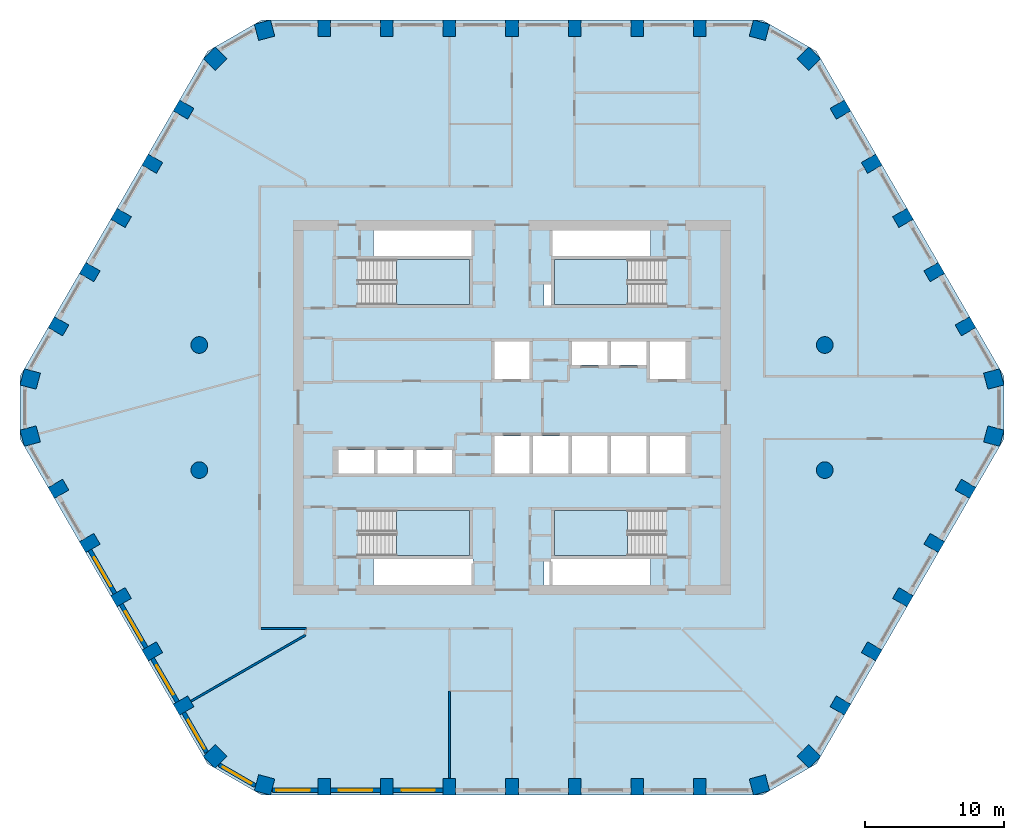
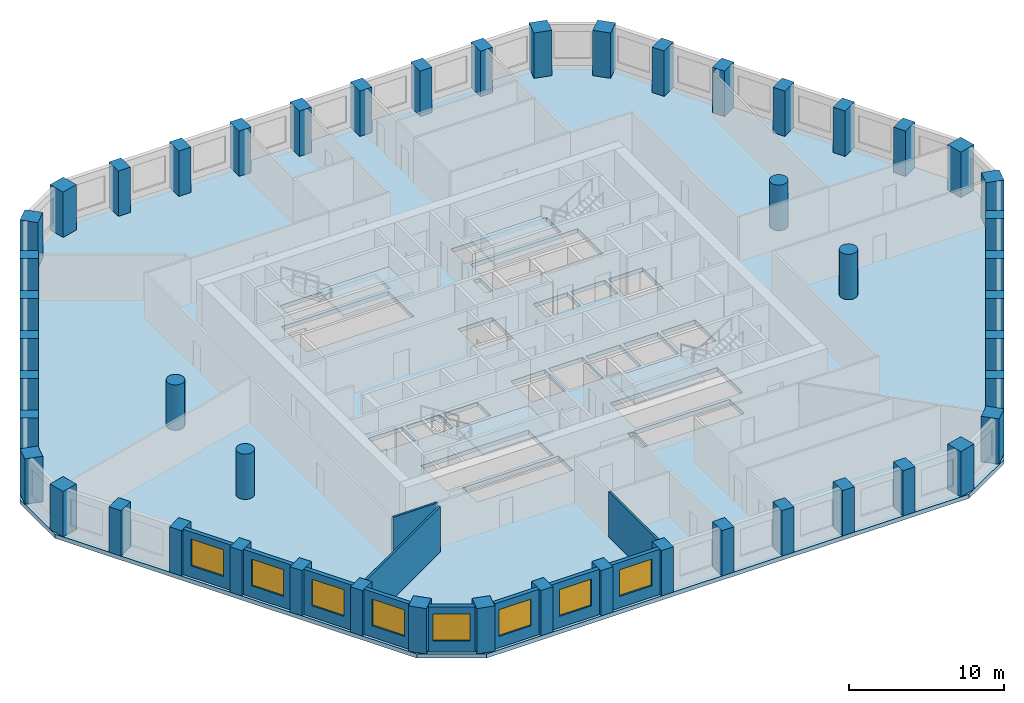
# One storey, part 1 of 9: 50 columns, 11 walls, 8 windows, 5 slabs, 8 openings, 4 elements without a shape of their own.
"""IFC4 building model written with IfcOpenShell, lengths in metres."""

import ifcopenshell
import ifcopenshell.guid

model = None  # the IFC model being written
_history = None  # IfcOwnerHistory: only IFC2X3 demands one
_inside = {}  # id of a spatial element -> (the spatial element, [elements in it])
_under = {}  # id of a project, library or spatial element -> (it, [spatial elements below it])
_declared = {}  # id of a project -> (the project, [libraries it declares])
_typed = {}  # id of a type object -> (the type object, [elements of that type])
_made_of = {}  # id of a material, layer set ... -> (it, [elements and type objects made of it])


def new_model(schema):
    """Start an empty IFC model of exactly this schema.

    Asked for "IFC4X3", IfcOpenShell would pick the latest addendum, in which some entities
    have other attributes; the version numbers below select the first issue.
    IFC2X3 requires an IfcOwnerHistory on every rooted entity: one is made here for all.
    """
    global model, _history
    if schema == "IFC4X3":
        model = ifcopenshell.file(schema_version=(4, 3, 0, 0))
    else:
        model = ifcopenshell.file(schema=schema)
    _inside.clear()
    _under.clear()
    _declared.clear()
    _typed.clear()
    _made_of.clear()
    _history = None
    if model.schema == "IFC2X3":
        org = make("IfcOrganization", Name="unknown")
        user = make(
            "IfcPersonAndOrganization",
            ThePerson=make("IfcPerson", FamilyName="unknown"),
            TheOrganization=org,
        )
        app = make(
            "IfcApplication",
            ApplicationDeveloper=org,
            Version="unknown",
            ApplicationFullName="unknown",
            ApplicationIdentifier="unknown",
        )
        _history = make(
            "IfcOwnerHistory",
            OwningUser=user,
            OwningApplication=app,
            ChangeAction="ADDED",
            CreationDate=0,
        )
    return model


def make(cls, **values):
    """One entity of the class cls with the attributes given. An attribute that is None is left unset."""
    return model.create_entity(
        cls, **{name: value for name, value in values.items() if value is not None}
    )


def rooted(cls, **values):
    """An entity with a GlobalId (a new one), such as an element, a storey or a relation."""
    return make(cls, GlobalId=ifcopenshell.guid.new(), OwnerHistory=_history, **values)


def si_unit(unit_type, name, prefix=None):
    """IfcSIUnit, for example si_unit("LENGTHUNIT", "METRE", prefix="MILLI")."""
    return make("IfcSIUnit", UnitType=unit_type, Prefix=prefix, Name=name)


def assignment(units):
    """IfcUnitAssignment: the units of a project."""
    return None if units is None else make("IfcUnitAssignment", Units=units)


def point(xyz):
    """IfcCartesianPoint."""
    return None if xyz is None else make("IfcCartesianPoint", Coordinates=xyz)


def direction(xyz):
    """IfcDirection."""
    return None if xyz is None else make("IfcDirection", DirectionRatios=xyz)


def frame(location, z_axis=None, x_axis=None):
    """IfcAxis2Placement3D, a coordinate frame: its origin and axes. An axis left out is left unset."""
    return make(
        "IfcAxis2Placement3D",
        Location=point(location),
        Axis=direction(z_axis),
        RefDirection=direction(x_axis),
    )


def frame_2d(location, x_axis=None):
    """IfcAxis2Placement2D, a coordinate frame in the plane: its origin and x axis."""
    return make(
        "IfcAxis2Placement2D", Location=point(location), RefDirection=direction(x_axis)
    )


def origin():
    """The frame at (0, 0, 0) with its axes left unset."""
    return frame((0.0, 0.0, 0.0))


def origin_2d():
    """The frame at (0, 0) in the plane with its x axis left unset."""
    return frame_2d((0.0, 0.0))


def place(relative_to, where):
    """IfcLocalPlacement: puts the frame where relative to a parent placement (None: the world)."""
    return make(
        "IfcLocalPlacement", PlacementRelTo=relative_to, RelativePlacement=where
    )


def context(
    kind, dimensions, precision=None, world=None, true_north=None, identifier=None
):
    """IfcGeometricRepresentationContext, for example the 3D "Model" context."""
    return make(
        "IfcGeometricRepresentationContext",
        ContextIdentifier=identifier,
        ContextType=kind,
        CoordinateSpaceDimension=dimensions,
        Precision=precision,
        WorldCoordinateSystem=world,
        TrueNorth=true_north,
    )


def subcontext(parent, identifier, kind, view, scale=None):
    """IfcGeometricRepresentationSubContext, for example "Body" below "Model"."""
    return make(
        "IfcGeometricRepresentationSubContext",
        ContextIdentifier=identifier,
        ContextType=kind,
        ParentContext=parent,
        TargetScale=scale,
        TargetView=view,
    )


def project(units=None, contexts=None):
    """IfcProject with its units and contexts."""
    return rooted(
        "IfcProject",
        Name="project",
        RepresentationContexts=contexts,
        UnitsInContext=assignment(units),
    )


def spatial(cls, under=None, at=None, **own):
    """A site, building, storey or space (cls), placed at a placement, below another one or the project."""
    s = rooted(cls, ObjectPlacement=at, **own)
    if under is not None:
        _under.setdefault(under.id(), (under, []))[1].append(s)
    return s


def polyline(points):
    """IfcPolyline through the points."""
    return make("IfcPolyline", Points=[point(p) for p in points])


def profile(cls, at=None, kind="AREA", **sizes):
    """A parametric profile (cls). Its sizes go by their IFC names, for example OverallWidth=200.0."""
    return make(cls, ProfileType=kind, Position=at, **sizes)


def rectangle(**sizes):
    """IfcRectangleProfileDef."""
    return profile("IfcRectangleProfileDef", **sizes)


def circle(**sizes):
    """IfcCircleProfileDef."""
    return profile("IfcCircleProfileDef", **sizes)


def outline(outer, holes=None, kind="AREA"):
    """IfcArbitraryClosedProfileDef: a profile drawn as a closed curve; with holes, ...WithVoids."""
    if holes is None:
        return make("IfcArbitraryClosedProfileDef", ProfileType=kind, OuterCurve=outer)
    return make(
        "IfcArbitraryProfileDefWithVoids",
        ProfileType=kind,
        OuterCurve=outer,
        InnerCurves=holes,
    )


def extrude(swept, where, along, depth):
    """IfcExtrudedAreaSolid: the profile swept, set in the frame where, extruded along a direction by depth."""
    return make(
        "IfcExtrudedAreaSolid",
        SweptArea=swept,
        Position=where,
        ExtrudedDirection=direction(along),
        Depth=depth,
    )


def shape(context_of_items, identifier, shape_type, items):
    """IfcShapeRepresentation: the items that make up one representation, for example the "Body"."""
    return make(
        "IfcShapeRepresentation",
        ContextOfItems=context_of_items,
        RepresentationIdentifier=identifier,
        RepresentationType=shape_type,
        Items=items,
    )


def material(Name=None, Category=None):
    """IfcMaterial."""
    return make("IfcMaterial", Name=Name, Category=Category)


def layer(
    of_material, thickness, ventilated=None, Name=None, Category=None, Priority=None
):
    """IfcMaterialLayer: one layer of a wall or slab, of a material (None: an air gap)."""
    return make(
        "IfcMaterialLayer",
        Material=of_material,
        LayerThickness=thickness,
        IsVentilated=ventilated,
        Name=Name,
        Category=Category,
        Priority=Priority,
    )


def layer_set(layers, Name=None):
    """IfcMaterialLayerSet."""
    return make("IfcMaterialLayerSet", MaterialLayers=layers, LayerSetName=Name)


def material_profile(
    of_material, cross_section, Name=None, Category=None, Priority=None
):
    """IfcMaterialProfile: a cross section and its material."""
    return make(
        "IfcMaterialProfile",
        Name=Name,
        Material=of_material,
        Profile=cross_section,
        Priority=Priority,
        Category=Category,
    )


def profile_set(profiles, Name=None, composite=None):
    """IfcMaterialProfileSet."""
    return make(
        "IfcMaterialProfileSet",
        Name=Name,
        MaterialProfiles=profiles,
        CompositeProfile=composite,
    )


def made_of(thing, what):
    """Note that an element or type object is made of a material, layer set ...; save() writes the relation."""
    if what is not None:
        _made_of.setdefault(what.id(), (what, []))[1].append(thing)
    return thing


def type_object(cls, material=None, **own):
    """A type object (cls), such as IfcWallType, which elements share."""
    return made_of(rooted(cls, **own), material)


def element(
    cls,
    number,
    at=None,
    inside=None,
    cuts=None,
    type_object=None,
    material=None,
    context=None,
    identifier="Body",
    shape_type=None,
    held_by="IfcProductDefinitionShape",
    body=None,
    shapes=None,
    **own,
):
    """One element of the class cls, such as IfcWall. Its Tag is "e" and its number.

    at: its placement. inside: the storey or other place that contains it. cuts: it is an
    opening in that element (IfcRelVoidsElement). A single representation is given by context,
    identifier, shape_type and body (its items); several are given by shapes. held_by: the class
    of the entity that holds the representations. save() writes the other relations.
    """
    e = rooted(cls, Tag="e%d" % number, ObjectPlacement=at, **own)
    if body is not None:
        shapes = [shape(context, identifier, shape_type, body)]
    if shapes is not None:
        e.Representation = make(held_by, Representations=shapes)
    if inside is not None:
        _inside.setdefault(inside.id(), (inside, []))[1].append(e)
    if cuts is not None:
        rooted(
            "IfcRelVoidsElement", RelatingBuildingElement=cuts, RelatedOpeningElement=e
        )
    if type_object is not None:
        _typed.setdefault(type_object.id(), (type_object, []))[1].append(e)
    return made_of(e, material)


def fill(opening, filler):
    """IfcRelFillsElement: the door or window that sits in an opening."""
    return rooted(
        "IfcRelFillsElement",
        RelatingOpeningElement=opening,
        RelatedBuildingElement=filler,
    )


def aggregate(whole, parts):
    """IfcRelAggregates: a whole, such as a stair, and the parts it consists of."""
    return rooted("IfcRelAggregates", RelatingObject=whole, RelatedObjects=parts)


def save(model, path):
    """Write the relations noted so far, then the file.

    IfcRelAggregates (storeys below a building ...), IfcRelContainedInSpatialStructure (elements
    in a storey), IfcRelDefinesByType, IfcRelAssociatesMaterial and IfcRelDeclares: one each for
    every whole, place, type object, material and project.
    """
    for whole, parts in _under.values():
        aggregate(whole, parts)
    for where, things in _inside.values():
        rooted(
            "IfcRelContainedInSpatialStructure",
            RelatedElements=things,
            RelatingStructure=where,
        )
    for kind, things in _typed.values():
        rooted("IfcRelDefinesByType", RelatedObjects=things, RelatingType=kind)
    for what, things in _made_of.values():
        rooted("IfcRelAssociatesMaterial", RelatedObjects=things, RelatingMaterial=what)
    for by, libraries in _declared.values():
        rooted("IfcRelDeclares", RelatingContext=by, RelatedDefinitions=libraries)
    model.write(path)


model = new_model("IFC4")

# Units and contexts
model_context = context("Model", 3, precision=1e-05, world=origin(), true_north=direction((0.0, 1.0)))
body_context = subcontext(model_context, "Body", "Model", "MODEL_VIEW")
ifc_project = project(units=[si_unit("LENGTHUNIT", "METRE"), si_unit("AREAUNIT", "SQUARE_METRE"), si_unit("VOLUMEUNIT", "CUBIC_METRE"), si_unit("PLANEANGLEUNIT", "RADIAN"), si_unit("MASSUNIT", "GRAM", prefix="KILO")], contexts=[model_context])

# Site, building, storey
site_placement = place(None, origin())
site = spatial("IfcSite", under=ifc_project, at=site_placement, CompositionType="ELEMENT")
building_placement = place(site_placement, origin())
building = spatial("IfcBuilding", under=site, at=building_placement, Name="Dhurran Vertical Campus", CompositionType="ELEMENT")
storey_placement = place(building_placement, frame((0.0, 0.0, 171.60009765625)))
storey = spatial("IfcBuildingStorey", under=building, at=storey_placement, Name="L42", CompositionType="ELEMENT", Elevation=171.60009765625)

# Columns
ifc_material_1 = material(Name="Concrete C60/75", Category="concrete")
ifc_material_profile_1 = material_profile(ifc_material_1, rectangle(XDim=1.199951171875, YDim=1.199951171875, at=origin_2d()), Name="RC 1200x1200")
ifc_profile_set_1 = profile_set([ifc_material_profile_1], Name="Concrete C60/75")
column_type_1 = type_object("IfcColumnType", Name="FR COL RC 1200x1200 C60/75", PredefinedType="COLUMN", material=ifc_profile_set_1)
for number, where, z_axis, x_axis, name in (
    (1, (-17.802978515625, -27.147705078125, 0.0), (0.0, 0.0, 1.0), (0.965925826289, -0.258819045103, 0.0), "Perimeter pier PP3.00"),
    (2, (17.802978515625, -27.147705078125, 0.0), (0.0, 0.0, 1.0), (0.965925826289, 0.258819045103, 0.0), "Perimeter pier PP3.08"),
    (3, (21.359130859375, -25.0947265625, 0.0), (0.0, 0.0, 1.0), (0.707106781187, 0.707106781187, 0.0), "Perimeter pier PP3.09"),
    (4, (34.662353515625, -2.052978515625, 0.0), (0.0, 0.0, 1.0), (0.258819045103, 0.965925826289, 0.0), "Perimeter pier PP3.15"),
    (5, (34.662353515625, 2.052978515625, 0.0), (0.0, 0.0, 1.0), (-0.258819045103, 0.965925826289, 0.0), "Perimeter pier PP3.16"),
    (6, (21.359130859375, 25.0947265625, 0.0), (0.0, 0.0, 1.0), (-0.707106781187, 0.707106781187, 0.0), "Perimeter pier PP3.22"),
    (7, (17.802978515625, 27.147705078125, 0.0), (0.0, 0.0, 1.0), (-0.965925826289, 0.258819045103, 0.0), "Perimeter pier PP3.23"),
    (8, (-17.802978515625, 27.147705078125, 0.0), (0.0, 0.0, 1.0), (-0.965925826289, -0.258819045103, 0.0), "Perimeter pier PP3.31"),
    (9, (-21.359130859375, 25.0947265625, 0.0), (0.0, 0.0, 1.0), (-0.707106781187, -0.707106781187, 0.0), "Perimeter pier PP3.32"),
    (10, (-34.662353515625, 2.052978515625, 0.0), (0.0, 0.0, 1.0), (-0.258819045103, -0.965925826289, 0.0), "Perimeter pier PP3.38"),
    (11, (-34.662353515625, -2.052978515625, 0.0), (0.0, 0.0, 1.0), (0.258819045103, -0.965925826289, 0.0), "Perimeter pier PP3.39"),
    (12, (-21.359130859375, -25.0947265625, 0.0), (0.0, 0.0, 1.0), (0.707106781187, -0.707106781187, 0.0), "Perimeter pier PP3.45"),
):
    element("IfcColumn", number, at=place(storey_placement, frame(where, z_axis=z_axis, x_axis=x_axis)), inside=storey, type_object=column_type_1, Name=name, PredefinedType="COLUMN", context=body_context, shape_type="SweptSolid", body=[
        extrude(rectangle(XDim=1.199951171875, YDim=1.199951171875, at=origin_2d()), origin(), (0.0, 0.0, 1.0), 3.574951171875),
    ])
ifc_material_2 = material(Name="Concrete C60/75", Category="concrete")
ifc_material_profile_2 = material_profile(ifc_material_2, rectangle(XDim=0.89990234375, YDim=1.199951171875, at=origin_2d()), Name="RC 900x1200")
ifc_profile_set_2 = profile_set([ifc_material_profile_2], Name="Concrete C60/75")
column_type_2 = type_object("IfcColumnType", Name="FR COL RC 900x1200 C60/75", PredefinedType="COLUMN", material=ifc_profile_set_2)
for number, where, z_axis, x_axis, name in (
    (13, (-13.5, -27.28271484375, 0.0), (0.0, 0.0, 1.0), (1.0, 0.0, 0.0), "Perimeter pier PP3.01"),
    (14, (-9.0, -27.28271484375, 0.0), (0.0, 0.0, 1.0), (1.0, 0.0, 0.0), "Perimeter pier PP3.02"),
    (15, (-4.5, -27.28271484375, 0.0), (0.0, 0.0, 1.0), (1.0, 0.0, 0.0), "Perimeter pier PP3.03"),
    (16, (0.0, -27.28271484375, 0.0), (0.0, 0.0, 1.0), (1.0, 0.0, 0.0), "Perimeter pier PP3.04"),
    (17, (4.5, -27.28271484375, 0.0), (0.0, 0.0, 1.0), (1.0, 0.0, 0.0), "Perimeter pier PP3.05"),
    (18, (9.0, -27.28271484375, 0.0), (0.0, 0.0, 1.0), (1.0, 0.0, 0.0), "Perimeter pier PP3.06"),
    (19, (13.5, -27.28271484375, 0.0), (0.0, 0.0, 1.0), (1.0, 0.0, 0.0), "Perimeter pier PP3.07"),
    (20, (23.62744140625, -21.435546875, 0.0), (0.0, 0.0, 1.0), (0.5, 0.866025403784, 0.0), "Perimeter pier PP3.10"),
    (21, (25.87744140625, -17.53857421875, 0.0), (0.0, 0.0, 1.0), (0.5, 0.866025403784, 0.0), "Perimeter pier PP3.11"),
    (22, (28.12744140625, -13.641357421875, 0.0), (0.0, 0.0, 1.0), (0.5, 0.866025403784, 0.0), "Perimeter pier PP3.12"),
    (23, (30.37744140625, -9.744140625, 0.0), (0.0, 0.0, 1.0), (0.5, 0.866025403784, 0.0), "Perimeter pier PP3.13"),
    (24, (32.62744140625, -5.84716796875, 0.0), (0.0, 0.0, 1.0), (0.5, 0.866025403784, 0.0), "Perimeter pier PP3.14"),
    (25, (32.62744140625, 5.84716796875, 0.0), (0.0, 0.0, 1.0), (-0.5, 0.866025403784, 0.0), "Perimeter pier PP3.17"),
    (26, (30.37744140625, 9.744140625, 0.0), (0.0, 0.0, 1.0), (-0.5, 0.866025403784, 0.0), "Perimeter pier PP3.18"),
    (27, (28.12744140625, 13.641357421875, 0.0), (0.0, 0.0, 1.0), (-0.5, 0.866025403784, 0.0), "Perimeter pier PP3.19"),
    (28, (25.87744140625, 17.53857421875, 0.0), (0.0, 0.0, 1.0), (-0.5, 0.866025403784, 0.0), "Perimeter pier PP3.20"),
    (29, (23.62744140625, 21.435546875, 0.0), (0.0, 0.0, 1.0), (-0.5, 0.866025403784, 0.0), "Perimeter pier PP3.21"),
    (30, (13.5, 27.28271484375, 0.0), (0.0, 0.0, 1.0), (-1.0, 0.0, 0.0), "Perimeter pier PP3.24"),
    (31, (9.0, 27.28271484375, 0.0), (0.0, 0.0, 1.0), (-1.0, 0.0, 0.0), "Perimeter pier PP3.25"),
    (32, (4.5, 27.28271484375, 0.0), (0.0, 0.0, 1.0), (-1.0, 0.0, 0.0), "Perimeter pier PP3.26"),
    (33, (0.0, 27.28271484375, 0.0), (0.0, 0.0, 1.0), (-1.0, 0.0, 0.0), "Perimeter pier PP3.27"),
    (34, (-4.5, 27.28271484375, 0.0), (0.0, 0.0, 1.0), (-1.0, 0.0, 0.0), "Perimeter pier PP3.28"),
    (35, (-9.0, 27.28271484375, 0.0), (0.0, 0.0, 1.0), (-1.0, 0.0, 0.0), "Perimeter pier PP3.29"),
    (36, (-13.5, 27.28271484375, 0.0), (0.0, 0.0, 1.0), (-1.0, 0.0, 0.0), "Perimeter pier PP3.30"),
    (37, (-23.62744140625, 21.435546875, 0.0), (0.0, 0.0, 1.0), (-0.5, -0.866025403784, 0.0), "Perimeter pier PP3.33"),
    (38, (-25.87744140625, 17.53857421875, 0.0), (0.0, 0.0, 1.0), (-0.5, -0.866025403784, 0.0), "Perimeter pier PP3.34"),
    (39, (-28.12744140625, 13.641357421875, 0.0), (0.0, 0.0, 1.0), (-0.5, -0.866025403784, 0.0), "Perimeter pier PP3.35"),
    (40, (-30.37744140625, 9.744140625, 0.0), (0.0, 0.0, 1.0), (-0.5, -0.866025403784, 0.0), "Perimeter pier PP3.36"),
    (41, (-32.62744140625, 5.84716796875, 0.0), (0.0, 0.0, 1.0), (-0.5, -0.866025403784, 0.0), "Perimeter pier PP3.37"),
    (42, (-32.62744140625, -5.84716796875, 0.0), (0.0, 0.0, 1.0), (0.5, -0.866025403784, 0.0), "Perimeter pier PP3.40"),
    (43, (-30.37744140625, -9.744140625, 0.0), (0.0, 0.0, 1.0), (0.5, -0.866025403784, 0.0), "Perimeter pier PP3.41"),
    (44, (-28.12744140625, -13.641357421875, 0.0), (0.0, 0.0, 1.0), (0.5, -0.866025403784, 0.0), "Perimeter pier PP3.42"),
    (45, (-25.87744140625, -17.53857421875, 0.0), (0.0, 0.0, 1.0), (0.5, -0.866025403784, 0.0), "Perimeter pier PP3.43"),
    (46, (-23.62744140625, -21.435546875, 0.0), (0.0, 0.0, 1.0), (0.5, -0.866025403784, 0.0), "Perimeter pier PP3.44"),
):
    element("IfcColumn", number, at=place(storey_placement, frame(where, z_axis=z_axis, x_axis=x_axis)), inside=storey, type_object=column_type_2, Name=name, PredefinedType="COLUMN", context=body_context, shape_type="SweptSolid", body=[
        extrude(rectangle(XDim=0.89990234375, YDim=1.199951171875, at=origin_2d()), origin(), (0.0, 0.0, 1.0), 3.574951171875),
    ])
ifc_material_3 = material(Name="Concrete C60/75", Category="concrete")
ifc_material_profile_3 = material_profile(ifc_material_3, circle(Radius=0.60009765625, at=origin_2d()), Name="RCC D1200")
ifc_profile_set_3 = profile_set([ifc_material_profile_3], Name="Concrete C60/75")
column_type_3 = type_object("IfcColumnType", Name="FR COL RCC D1200 C60/75", PredefinedType="COLUMN", material=ifc_profile_set_3)
for number, where, z_axis, x_axis, name in (
    (47, (-22.5, -4.5, 0.0), (0.0, 0.0, 1.0), (1.0, 0.0, 0.0), "Inner column IC3-D5"),
    (48, (-22.5, 4.5, 0.0), (0.0, 0.0, 1.0), (1.0, 0.0, 0.0), "Inner column IC3-D6"),
    (49, (22.5, -4.5, 0.0), (0.0, 0.0, 1.0), (1.0, 0.0, 0.0), "Inner column IC3-J5"),
    (50, (22.5, 4.5, 0.0), (0.0, 0.0, 1.0), (1.0, 0.0, 0.0), "Inner column IC3-J6"),
):
    element("IfcColumn", number, at=place(storey_placement, frame(where, z_axis=z_axis, x_axis=x_axis)), inside=storey, type_object=column_type_3, Name=name, PredefinedType="COLUMN", context=body_context, shape_type="SweptSolid", body=[
        extrude(circle(Radius=0.60009765625, at=origin_2d()), origin(), (0.0, 0.0, 1.0), 3.574951171875),
    ])

# Slab
ifc_material_4 = material(Name="Concrete C40/50", Category="concrete")
ifc_layer_1 = layer(ifc_material_4, 0.324951171875)
ifc_layer_set_1 = layer_set([ifc_layer_1], Name="Concrete C40/50")
slab_type_1 = type_object("IfcSlabType", Name="FR POST-TENSIONED FLAT SLAB 325", PredefinedType="FLOOR", material=ifc_layer_set_1)
slab_1_placement = place(storey_placement, frame((0.0, 0.0, -0.3251953125)))
element("IfcSlab", 51, at=slab_1_placement, inside=storey, type_object=slab_type_1, Name="Floor slab L42", PredefinedType="FLOOR", context=body_context, shape_type="SweptSolid", body=[
    extrude(outline(polyline([(-18.0, -27.8828125), (18.0, -27.8828125), (21.897216796875, -25.6328125), (35.397216796875, -2.25), (35.397216796875, 2.25), (21.897216796875, 25.6328125), (18.0, 27.8828125), (-18.0, 27.8828125), (-21.897216796875, 25.6328125), (-35.397216796875, 2.25), (-35.397216796875, -2.25), (-21.897216796875, -25.6328125), (-18.0, -27.8828125)]), holes=[polyline([(-1.27490234375, 2.050048828125), (1.27490234375, 2.050048828125), (1.27490234375, 4.75), (-1.27490234375, 4.75), (-1.27490234375, 2.050048828125)]), polyline([(9.925048828125, 2.050048828125), (12.47509765625, 2.050048828125), (12.47509765625, 4.75), (9.925048828125, 4.75), (9.925048828125, 2.050048828125)]), polyline([(-1.27490234375, -4.75), (1.27490234375, -4.75), (1.27490234375, -2.050048828125), (-1.27490234375, -2.050048828125), (-1.27490234375, -4.75)]), polyline([(1.52490234375, -4.75), (4.074951171875, -4.75), (4.074951171875, -2.050048828125), (1.52490234375, -2.050048828125), (1.52490234375, -4.75)]), polyline([(4.324951171875, -4.75), (6.875, -4.75), (6.875, -2.050048828125), (4.324951171875, -2.050048828125), (4.324951171875, -4.75)]), polyline([(7.125, -4.75), (9.675048828125, -4.75), (9.675048828125, -2.050048828125), (7.125, -2.050048828125), (7.125, -4.75)]), polyline([(9.925048828125, -4.75), (12.47509765625, -4.75), (12.47509765625, -2.050048828125), (9.925048828125, -2.050048828125), (9.925048828125, -4.75)]), polyline([(4.324951171875, 3.050048828125), (6.875, 3.050048828125), (6.875, 4.75), (4.324951171875, 4.75), (4.324951171875, 3.050048828125)]), polyline([(7.125, 3.050048828125), (9.675048828125, 3.050048828125), (9.675048828125, 4.75), (7.125, 4.75), (7.125, 3.050048828125)]), polyline([(-12.47509765625, -4.75), (-9.925048828125, -4.75), (-9.925048828125, -3.050048828125), (-12.47509765625, -3.050048828125), (-12.47509765625, -4.75)]), polyline([(-9.675048828125, -4.75), (-7.125, -4.75), (-7.125, -3.050048828125), (-9.675048828125, -3.050048828125), (-9.675048828125, -4.75)]), polyline([(-6.875, -4.75), (-4.324951171875, -4.75), (-4.324951171875, -3.050048828125), (-6.875, -3.050048828125), (-6.875, -4.75)]), polyline([(-11.050048828125, 7.39990234375), (-3.050048828125, 7.39990234375), (-3.050048828125, 10.64990234375), (-11.050048828125, 10.64990234375), (-11.050048828125, 7.39990234375)]), polyline([(3.050048828125, 7.39990234375), (11.050048828125, 7.39990234375), (11.050048828125, 10.64990234375), (3.050048828125, 10.64990234375), (3.050048828125, 7.39990234375)]), polyline([(-11.050048828125, -10.64990234375), (-3.050048828125, -10.64990234375), (-3.050048828125, -7.39990234375), (-11.050048828125, -7.39990234375), (-11.050048828125, -10.64990234375)]), polyline([(3.050048828125, -10.64990234375), (11.050048828125, -10.64990234375), (11.050048828125, -7.39990234375), (3.050048828125, -7.39990234375), (3.050048828125, -10.64990234375)]), polyline([(-9.949951171875, 10.89990234375), (-9.949951171875, 12.75), (-2.800048828125, 12.75), (-2.800048828125, 10.89990234375), (-9.949951171875, 10.89990234375)]), polyline([(9.949951171875, 12.75), (9.949951171875, 10.89990234375), (2.800048828125, 10.89990234375), (2.800048828125, 12.75), (9.949951171875, 12.75)]), polyline([(-9.949951171875, -12.75), (-9.949951171875, -10.89990234375), (-2.800048828125, -10.89990234375), (-2.800048828125, -12.75), (-9.949951171875, -12.75)]), polyline([(9.949951171875, -10.89990234375), (9.949951171875, -12.75), (2.800048828125, -12.75), (2.800048828125, -10.89990234375), (9.949951171875, -10.89990234375)]), polyline([(2.300048828125, 7.35009765625), (2.300048828125, 8.969970703125), (2.800048828125, 8.969970703125), (2.800048828125, 7.35009765625), (2.300048828125, 7.35009765625)]), polyline([(2.300048828125, -12.75), (2.300048828125, -10.968017578125), (2.75, -10.968017578125), (2.75, -12.75), (2.300048828125, -12.75)])]), origin(), (0.0, 0.0, 1.0), 0.3251953125),
])

# Stair, slab
ifc_material_5 = material(Name="Concrete C40/50", Category="concrete")
stair_type = type_object("IfcStairType", Name="co-ST-CORE", PredefinedType="HALF_TURN_STAIR", material=ifc_material_5)
stair_1_placement = place(storey_placement, origin())
stair_1 = element("IfcStair", 52, at=stair_1_placement, inside=storey, type_object=stair_type, Name="L42 Protected exit stair ST1", PredefinedType="HALF_TURN_STAIR")
ifc_material_6 = material(Name="Concrete C40/50", Category="concrete")
ifc_layer_2 = layer(ifc_material_6, 0.199951171875)
ifc_layer_set_2 = layer_set([ifc_layer_2], Name="Concrete C40/50")
slab_type_2 = type_object("IfcSlabType", Name="co-SL-LANDING", PredefinedType="LANDING", material=ifc_layer_set_2)
slab_2_placement = place(storey_placement, frame((0.0, 0.0, 1.75)))
slab_2 = element("IfcSlab", 53, at=slab_2_placement, type_object=slab_type_2, Name="ST1 landing 1", PredefinedType="LANDING", context=body_context, shape_type="SweptSolid", body=[
    extrude(outline(polyline([(-8.300048828125, 7.39990234375), (-3.050048828125, 7.39990234375), (-3.050048828125, 10.64990234375), (-8.300048828125, 10.64990234375), (-8.300048828125, 7.39990234375)])), origin(), (0.0, 0.0, 1.0), 0.199951171875),
])
aggregate(stair_1, [slab_2])

stair_2_placement = place(storey_placement, origin())
stair_2 = element("IfcStair", 54, at=stair_2_placement, inside=storey, type_object=stair_type, Name="L42 Protected exit stair ST2", PredefinedType="HALF_TURN_STAIR")
slab_3_placement = place(storey_placement, frame((0.0, 0.0, 1.75)))
slab_3 = element("IfcSlab", 55, at=slab_3_placement, type_object=slab_type_2, Name="ST2 landing 1", PredefinedType="LANDING", context=body_context, shape_type="SweptSolid", body=[
    extrude(outline(polyline([(8.300048828125, 10.64990234375), (3.050048828125, 10.64990234375), (3.050048828125, 7.39990234375), (8.300048828125, 7.39990234375), (8.300048828125, 10.64990234375)])), origin(), (0.0, 0.0, 1.0), 0.199951171875),
])
aggregate(stair_2, [slab_3])

stair_3_placement = place(storey_placement, origin())
stair_3 = element("IfcStair", 56, at=stair_3_placement, inside=storey, type_object=stair_type, Name="L42 Protected exit stair ST3", PredefinedType="HALF_TURN_STAIR")
slab_4_placement = place(storey_placement, frame((0.0, 0.0, 1.75)))
slab_4 = element("IfcSlab", 57, at=slab_4_placement, type_object=slab_type_2, Name="ST3 landing 1", PredefinedType="LANDING", context=body_context, shape_type="SweptSolid", body=[
    extrude(outline(polyline([(-8.300048828125, -10.64990234375), (-3.050048828125, -10.64990234375), (-3.050048828125, -7.39990234375), (-8.300048828125, -7.39990234375), (-8.300048828125, -10.64990234375)])), origin(), (0.0, 0.0, 1.0), 0.199951171875),
])
aggregate(stair_3, [slab_4])

stair_4_placement = place(storey_placement, origin())
stair_4 = element("IfcStair", 58, at=stair_4_placement, inside=storey, type_object=stair_type, Name="L42 Protected exit stair ST4", PredefinedType="HALF_TURN_STAIR")
slab_5_placement = place(storey_placement, frame((0.0, 0.0, 1.75)))
slab_5 = element("IfcSlab", 59, at=slab_5_placement, type_object=slab_type_2, Name="ST4 landing 1", PredefinedType="LANDING", context=body_context, shape_type="SweptSolid", body=[
    extrude(outline(polyline([(8.300048828125, -7.39990234375), (3.050048828125, -7.39990234375), (3.050048828125, -10.64990234375), (8.300048828125, -10.64990234375), (8.300048828125, -7.39990234375)])), origin(), (0.0, 0.0, 1.0), 0.199951171875),
])
aggregate(stair_4, [slab_5])

# Wall, opening, window
ifc_material_7 = material(Name="Precast concrete C50/60", Category="concrete")
ifc_layer_3 = layer(ifc_material_7, 0.300048828125)
ifc_layer_set_3 = layer_set([ifc_layer_3], Name="Precast concrete C50/60")
wall_type_1 = type_object("IfcWallType", Name="Precast spandrel wall 300", PredefinedType="SOLIDWALL", material=ifc_layer_set_3)
wall_1_placement = place(storey_placement, frame((-17.24462890625, -27.53271484375, 0.0), z_axis=(0.0, 0.0, 1.0), x_axis=(1.0, 0.0, 0.0)))
wall_1 = element("IfcWall", 60, at=wall_1_placement, inside=storey, type_object=wall_type_1, Name="EW1 L42.00", PredefinedType="SOLIDWALL", context=body_context, shape_type="SweptSolid", body=[
    extrude(rectangle(XDim=3.294189453125, YDim=0.300048828125, at=frame_2d((1.64697265625, 0.0))), origin(), (0.0, 0.0, 1.0), 3.574951171875),
])
opening_1_placement = place(wall_1_placement, frame((0.294677734375, 0.0, 0.89990234375)))
opening_1 = element("IfcOpeningElement", 61, at=opening_1_placement, cuts=wall_1, Name="Opening WT1", PredefinedType="OPENING", context=body_context, shape_type="SweptSolid", body=[
    extrude(rectangle(XDim=2.39990234375, YDim=2.10009765625, at=frame_2d((1.199951171875, 1.050048828125))), frame((0.0, 0.159912109375, 0.0), z_axis=(0.0, -1.0, 0.0), x_axis=(1.0, 0.0, 0.0)), (0.0, 0.0, 1.0), 0.320068359375),
])
ifc_material_8 = material(Name="Aluminium frame with solar-control glass", Category="aluminium")
window_type = type_object("IfcWindowType", Name="Punched window 2400 x 2100", PartitioningType="SINGLE_PANEL", PredefinedType="WINDOW", material=ifc_material_8)
window_1_placement = place(opening_1_placement, origin())
window_1 = element("IfcWindow", 62, at=window_1_placement, inside=storey, type_object=window_type, Name="WT1 L42.00", OverallHeight=2.10009765625, OverallWidth=2.39990234375, PartitioningType="SINGLE_PANEL", PredefinedType="WINDOW", context=body_context, shape_type="SweptSolid", body=[
    extrude(rectangle(XDim=2.39990234375, YDim=2.10009765625, at=frame_2d((1.199951171875, 1.050048828125))), frame((0.0, 0.030029296875, 0.0), z_axis=(0.0, -1.0, 0.0), x_axis=(1.0, 0.0, 0.0)), (0.0, 0.0, 1.0), 0.06005859375),
])
fill(opening_1, window_1)

wall_2_placement = place(storey_placement, frame((-13.049560546875, -27.53271484375, 0.0), z_axis=(0.0, 0.0, 1.0), x_axis=(1.0, 0.0, 0.0)))
wall_2 = element("IfcWall", 63, at=wall_2_placement, inside=storey, type_object=wall_type_1, Name="EW1 L42.01", PredefinedType="SOLIDWALL", context=body_context, shape_type="SweptSolid", body=[
    extrude(rectangle(XDim=3.59912109375, YDim=0.300048828125, at=frame_2d((1.799560546875, 0.0))), origin(), (0.0, 0.0, 1.0), 3.574951171875),
])
opening_2_placement = place(wall_2_placement, frame((0.599609375, 0.0, 0.89990234375)))
opening_2 = element("IfcOpeningElement", 64, at=opening_2_placement, cuts=wall_2, Name="Opening WT1", PredefinedType="OPENING", context=body_context, shape_type="SweptSolid", body=[
    extrude(rectangle(XDim=2.39990234375, YDim=2.10009765625, at=frame_2d((1.199951171875, 1.050048828125))), frame((0.0, 0.159912109375, 0.0), z_axis=(0.0, -1.0, 0.0), x_axis=(1.0, 0.0, 0.0)), (0.0, 0.0, 1.0), 0.320068359375),
])
window_2_placement = place(opening_2_placement, origin())
window_2 = element("IfcWindow", 65, at=window_2_placement, inside=storey, type_object=window_type, Name="WT1 L42.01", OverallHeight=2.10009765625, OverallWidth=2.39990234375, PartitioningType="SINGLE_PANEL", PredefinedType="WINDOW", context=body_context, shape_type="SweptSolid", body=[
    extrude(rectangle(XDim=2.39990234375, YDim=2.10009765625, at=frame_2d((1.199951171875, 1.050048828125))), frame((0.0, 0.030029296875, 0.0), z_axis=(0.0, -1.0, 0.0), x_axis=(1.0, 0.0, 0.0)), (0.0, 0.0, 1.0), 0.06005859375),
])
fill(opening_2, window_2)

wall_3_placement = place(storey_placement, frame((-8.549560546875, -27.53271484375, 0.0), z_axis=(0.0, 0.0, 1.0), x_axis=(1.0, 0.0, 0.0)))
wall_3 = element("IfcWall", 66, at=wall_3_placement, inside=storey, type_object=wall_type_1, Name="EW1 L42.02", PredefinedType="SOLIDWALL", context=body_context, shape_type="SweptSolid", body=[
    extrude(rectangle(XDim=3.59912109375, YDim=0.300048828125, at=frame_2d((1.799560546875, 0.0))), origin(), (0.0, 0.0, 1.0), 3.574951171875),
])
opening_3_placement = place(wall_3_placement, frame((0.599609375, 0.0, 0.89990234375)))
opening_3 = element("IfcOpeningElement", 67, at=opening_3_placement, cuts=wall_3, Name="Opening WT1", PredefinedType="OPENING", context=body_context, shape_type="SweptSolid", body=[
    extrude(rectangle(XDim=2.39990234375, YDim=2.10009765625, at=frame_2d((1.199951171875, 1.050048828125))), frame((0.0, 0.159912109375, 0.0), z_axis=(0.0, -1.0, 0.0), x_axis=(1.0, 0.0, 0.0)), (0.0, 0.0, 1.0), 0.320068359375),
])
window_3_placement = place(opening_3_placement, origin())
window_3 = element("IfcWindow", 68, at=window_3_placement, inside=storey, type_object=window_type, Name="WT1 L42.02", OverallHeight=2.10009765625, OverallWidth=2.39990234375, PartitioningType="SINGLE_PANEL", PredefinedType="WINDOW", context=body_context, shape_type="SweptSolid", body=[
    extrude(rectangle(XDim=2.39990234375, YDim=2.10009765625, at=frame_2d((1.199951171875, 1.050048828125))), frame((0.0, 0.030029296875, 0.0), z_axis=(0.0, -1.0, 0.0), x_axis=(1.0, 0.0, 0.0)), (0.0, 0.0, 1.0), 0.06005859375),
])
fill(opening_3, window_3)

wall_4_placement = place(storey_placement, frame((-30.368896484375, -10.259521484375, 0.0), z_axis=(0.0, 0.0, 1.0), x_axis=(0.500027802648, -0.866009351323, 0.0)))
wall_4 = element("IfcWall", 69, at=wall_4_placement, inside=storey, type_object=wall_type_1, Name="EW1 L42.41", PredefinedType="SOLIDWALL", context=body_context, shape_type="SweptSolid", body=[
    extrude(rectangle(XDim=3.598876953125, YDim=0.300048828125, at=frame_2d((1.79931640625, 0.0))), origin(), (0.0, 0.0, 1.0), 3.574951171875),
])
opening_4_placement = place(wall_4_placement, frame((0.599609375, 0.0, 0.89990234375)))
opening_4 = element("IfcOpeningElement", 70, at=opening_4_placement, cuts=wall_4, Name="Opening WT1", PredefinedType="OPENING", context=body_context, shape_type="SweptSolid", body=[
    extrude(rectangle(XDim=2.39990234375, YDim=2.10009765625, at=frame_2d((1.199951171875, 1.050048828125))), frame((0.0, 0.159912109375, 0.0), z_axis=(0.0, -1.0, 0.0), x_axis=(1.0, 0.0, 0.0)), (0.0, 0.0, 1.0), 0.320068359375),
])
window_4_placement = place(opening_4_placement, origin())
window_4 = element("IfcWindow", 71, at=window_4_placement, inside=storey, type_object=window_type, Name="WT1 L42.41", OverallHeight=2.10009765625, OverallWidth=2.39990234375, PartitioningType="SINGLE_PANEL", PredefinedType="WINDOW", context=body_context, shape_type="SweptSolid", body=[
    extrude(rectangle(XDim=2.39990234375, YDim=2.10009765625, at=frame_2d((1.199951171875, 1.050048828125))), frame((0.0, 0.030029296875, 0.0), z_axis=(0.0, -1.0, 0.0), x_axis=(1.0, 0.0, 0.0)), (0.0, 0.0, 1.0), 0.06005859375),
])
fill(opening_4, window_4)

wall_5_placement = place(storey_placement, frame((-28.118896484375, -14.156494140625, 0.0), z_axis=(0.0, 0.0, 1.0), x_axis=(0.500027802648, -0.866009351323, 0.0)))
wall_5 = element("IfcWall", 72, at=wall_5_placement, inside=storey, type_object=wall_type_1, Name="EW1 L42.42", PredefinedType="SOLIDWALL", context=body_context, shape_type="SweptSolid", body=[
    extrude(rectangle(XDim=3.598876953125, YDim=0.300048828125, at=frame_2d((1.79931640625, 0.0))), origin(), (0.0, 0.0, 1.0), 3.574951171875),
])
opening_5_placement = place(wall_5_placement, frame((0.599609375, 0.0, 0.89990234375)))
opening_5 = element("IfcOpeningElement", 73, at=opening_5_placement, cuts=wall_5, Name="Opening WT1", PredefinedType="OPENING", context=body_context, shape_type="SweptSolid", body=[
    extrude(rectangle(XDim=2.39990234375, YDim=2.10009765625, at=frame_2d((1.199951171875, 1.050048828125))), frame((0.0, 0.159912109375, 0.0), z_axis=(0.0, -1.0, 0.0), x_axis=(1.0, 0.0, 0.0)), (0.0, 0.0, 1.0), 0.320068359375),
])
window_5_placement = place(opening_5_placement, origin())
window_5 = element("IfcWindow", 74, at=window_5_placement, inside=storey, type_object=window_type, Name="WT1 L42.42", OverallHeight=2.10009765625, OverallWidth=2.39990234375, PartitioningType="SINGLE_PANEL", PredefinedType="WINDOW", context=body_context, shape_type="SweptSolid", body=[
    extrude(rectangle(XDim=2.39990234375, YDim=2.10009765625, at=frame_2d((1.199951171875, 1.050048828125))), frame((0.0, 0.030029296875, 0.0), z_axis=(0.0, -1.0, 0.0), x_axis=(1.0, 0.0, 0.0)), (0.0, 0.0, 1.0), 0.06005859375),
])
fill(opening_5, window_5)

wall_6_placement = place(storey_placement, frame((-25.868896484375, -18.0537109375, 0.0), z_axis=(0.0, 0.0, 1.0), x_axis=(0.500027802648, -0.866009351323, 0.0)))
wall_6 = element("IfcWall", 75, at=wall_6_placement, inside=storey, type_object=wall_type_1, Name="EW1 L42.43", PredefinedType="SOLIDWALL", context=body_context, shape_type="SweptSolid", body=[
    extrude(rectangle(XDim=3.598876953125, YDim=0.300048828125, at=frame_2d((1.79931640625, 0.0))), origin(), (0.0, 0.0, 1.0), 3.574951171875),
])
opening_6_placement = place(wall_6_placement, frame((0.599609375, 0.0, 0.89990234375)))
opening_6 = element("IfcOpeningElement", 76, at=opening_6_placement, cuts=wall_6, Name="Opening WT1", PredefinedType="OPENING", context=body_context, shape_type="SweptSolid", body=[
    extrude(rectangle(XDim=2.39990234375, YDim=2.10009765625, at=frame_2d((1.199951171875, 1.050048828125))), frame((0.0, 0.159912109375, 0.0), z_axis=(0.0, -1.0, 0.0), x_axis=(1.0, 0.0, 0.0)), (0.0, 0.0, 1.0), 0.320068359375),
])
window_6_placement = place(opening_6_placement, origin())
window_6 = element("IfcWindow", 77, at=window_6_placement, inside=storey, type_object=window_type, Name="WT1 L42.43", OverallHeight=2.10009765625, OverallWidth=2.39990234375, PartitioningType="SINGLE_PANEL", PredefinedType="WINDOW", context=body_context, shape_type="SweptSolid", body=[
    extrude(rectangle(XDim=2.39990234375, YDim=2.10009765625, at=frame_2d((1.199951171875, 1.050048828125))), frame((0.0, 0.030029296875, 0.0), z_axis=(0.0, -1.0, 0.0), x_axis=(1.0, 0.0, 0.0)), (0.0, 0.0, 1.0), 0.06005859375),
])
fill(opening_6, window_6)

wall_7_placement = place(storey_placement, frame((-23.618896484375, -21.95068359375, 0.0), z_axis=(0.0, 0.0, 1.0), x_axis=(0.500036802197, -0.866004154983, 0.0)))
wall_7 = element("IfcWall", 78, at=wall_7_placement, inside=storey, type_object=wall_type_1, Name="EW1 L42.44", PredefinedType="SOLIDWALL", context=body_context, shape_type="SweptSolid", body=[
    extrude(rectangle(XDim=3.294189453125, YDim=0.300048828125, at=frame_2d((1.64697265625, 0.0))), origin(), (0.0, 0.0, 1.0), 3.574951171875),
])
opening_7_placement = place(wall_7_placement, frame((0.599609375, 0.0, 0.89990234375)))
opening_7 = element("IfcOpeningElement", 79, at=opening_7_placement, cuts=wall_7, Name="Opening WT1", PredefinedType="OPENING", context=body_context, shape_type="SweptSolid", body=[
    extrude(rectangle(XDim=2.39990234375, YDim=2.10009765625, at=frame_2d((1.199951171875, 1.050048828125))), frame((0.0, 0.159912109375, 0.0), z_axis=(0.0, -1.0, 0.0), x_axis=(1.0, 0.0, 0.0)), (0.0, 0.0, 1.0), 0.320068359375),
])
window_7_placement = place(opening_7_placement, origin())
window_7 = element("IfcWindow", 80, at=window_7_placement, inside=storey, type_object=window_type, Name="WT1 L42.44", OverallHeight=2.10009765625, OverallWidth=2.39990234375, PartitioningType="SINGLE_PANEL", PredefinedType="WINDOW", context=body_context, shape_type="SweptSolid", body=[
    extrude(rectangle(XDim=2.39990234375, YDim=2.10009765625, at=frame_2d((1.199951171875, 1.050048828125))), frame((0.0, 0.030029296875, 0.0), z_axis=(0.0, -1.0, 0.0), x_axis=(1.0, 0.0, 0.0)), (0.0, 0.0, 1.0), 0.06005859375),
])
fill(opening_7, window_7)

wall_8_placement = place(storey_placement, frame((-21.06787109375, -25.707275390625, 0.0), z_axis=(0.0, 0.0, 1.0), x_axis=(0.866012844897, -0.500021752, 0.0)))
wall_8 = element("IfcWall", 81, at=wall_8_placement, inside=storey, type_object=wall_type_1, Name="EW1 L42.45", PredefinedType="SOLIDWALL", context=body_context, shape_type="SweptSolid", body=[
    extrude(rectangle(XDim=2.989013671875, YDim=0.300048828125, at=frame_2d((1.49462890625, 0.0))), origin(), (0.0, 0.0, 1.0), 3.574951171875),
])
opening_8_placement = place(wall_8_placement, frame((0.294677734375, 0.0, 0.89990234375)))
opening_8 = element("IfcOpeningElement", 82, at=opening_8_placement, cuts=wall_8, Name="Opening WT1", PredefinedType="OPENING", context=body_context, shape_type="SweptSolid", body=[
    extrude(rectangle(XDim=2.39990234375, YDim=2.10009765625, at=frame_2d((1.199951171875, 1.050048828125))), frame((0.0, 0.159912109375, 0.0), z_axis=(0.0, -1.0, 0.0), x_axis=(1.0, 0.0, 0.0)), (0.0, 0.0, 1.0), 0.320068359375),
])
window_8_placement = place(opening_8_placement, origin())
window_8 = element("IfcWindow", 83, at=window_8_placement, inside=storey, type_object=window_type, Name="WT1 L42.45", OverallHeight=2.10009765625, OverallWidth=2.39990234375, PartitioningType="SINGLE_PANEL", PredefinedType="WINDOW", context=body_context, shape_type="SweptSolid", body=[
    extrude(rectangle(XDim=2.39990234375, YDim=2.10009765625, at=frame_2d((1.199951171875, 1.050048828125))), frame((0.0, 0.030029296875, 0.0), z_axis=(0.0, -1.0, 0.0), x_axis=(1.0, 0.0, 0.0)), (0.0, 0.0, 1.0), 0.06005859375),
])
fill(opening_8, window_8)

# Walls
ifc_material_9 = material(Name="Gypsum board corridor wall on steel studs", Category="steel")
ifc_layer_4 = layer(ifc_material_9, 0.14990234375)
ifc_layer_set_4 = layer_set([ifc_layer_4], Name="Gypsum board corridor wall on steel studs")
wall_type_2 = type_object("IfcWallType", Name="fl-CW-150 corridor wall", PredefinedType="PARTITIONING", material=ifc_layer_set_4)
wall_9_placement = place(storey_placement, frame((-18.074951171875, -15.89990234375, 0.0), z_axis=(0.0, 0.0, 1.0), x_axis=(1.0, 0.0, 0.0)))
element("IfcWall", 84, at=wall_9_placement, inside=storey, type_object=wall_type_2, Name="Partition 42-05", PredefinedType="PARTITIONING", context=body_context, shape_type="SweptSolid", body=[
    extrude(rectangle(XDim=3.285888671875, YDim=0.14990234375, at=frame_2d((1.64306640625, 0.0))), origin(), (0.0, 0.0, 1.0), 3.574951171875),
])
ifc_material_10 = material(Name="Gypsum board partition on steel studs", Category="steel")
ifc_layer_5 = layer(ifc_material_10, 0.14990234375)
ifc_layer_set_5 = layer_set([ifc_layer_5], Name="Gypsum board partition on steel studs")
wall_type_3 = type_object("IfcWallType", Name="fl-PW-150 fixed partition", PredefinedType="PARTITIONING", material=ifc_layer_set_5)
wall_10_placement = place(storey_placement, frame((-14.861083984375, -16.37451171875, 0.0), z_axis=(0.0, 0.0, 1.0), x_axis=(-0.866011447264, -0.500024172624, 0.0)))
element("IfcWall", 85, at=wall_10_placement, inside=storey, type_object=wall_type_3, Name="Partition 42-02", PredefinedType="PARTITIONING", context=body_context, shape_type="SweptSolid", body=[
    extrude(rectangle(XDim=9.50244140625, YDim=0.14990234375, at=frame_2d((4.751220703125, 0.0))), origin(), (0.0, 0.0, 1.0), 3.574951171875),
])
wall_11_placement = place(storey_placement, frame((-4.5, -20.39990234375, 0.0), z_axis=(0.0, 0.0, 1.0), x_axis=(0.0, -1.0, 0.0)))
element("IfcWall", 86, at=wall_11_placement, inside=storey, type_object=wall_type_3, Name="Partition 42-12", PredefinedType="PARTITIONING", context=body_context, shape_type="SweptSolid", body=[
    extrude(rectangle(XDim=6.2626953125, YDim=0.14990234375, at=frame_2d((3.13134765625, 0.0))), origin(), (0.0, 0.0, 1.0), 3.574951171875),
])

save(model, "model.ifc")
